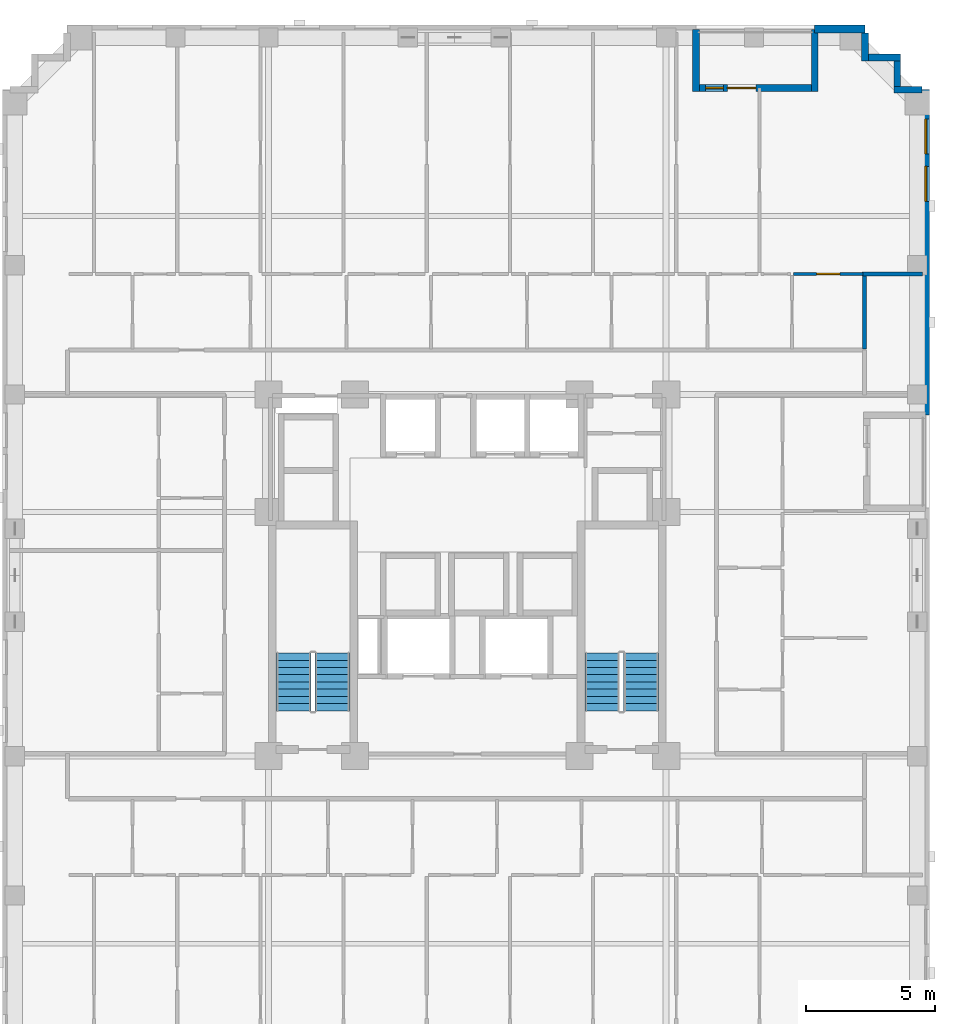
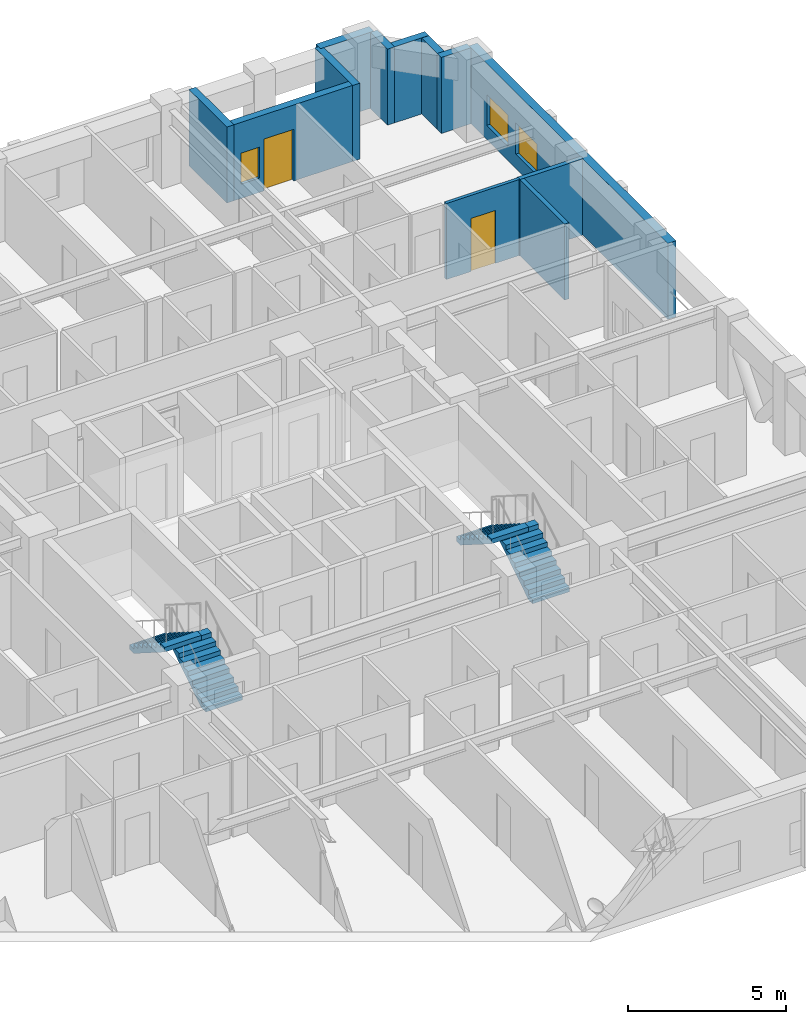
# One storey, part 9 of 13: 12 walls, 4 stair flights, 3 windows, 2 doors, 5 openings, 2 elements without a shape of their own.
"""IFC4 building model written with IfcOpenShell, lengths in metres."""

from ifc_helpers import new_model, si_unit, derived_unit, direction, frame, frame_2d, origin, place, context, subcontext, project, spatial, polyline, rectangle, outline, extrude, material, layer, layer_set, type_object, element, fill, aggregate, save


model = new_model("IFC4")

# Units and contexts
model_context = context("Model", 3, precision=1e-05, world=origin(), true_north=direction((0.0, 1.0)))
body_context = subcontext(model_context, "Body", "Model", "MODEL_VIEW")
ifc_project = project(units=[si_unit("LENGTHUNIT", "METRE"), si_unit("AREAUNIT", "SQUARE_METRE"), si_unit("VOLUMEUNIT", "CUBIC_METRE"), si_unit("PLANEANGLEUNIT", "RADIAN"), si_unit("MASSUNIT", "GRAM", prefix="KILO"), derived_unit("THERMALTRANSMITTANCEUNIT", [(si_unit("MASSUNIT", "GRAM", prefix="KILO"), 1), (si_unit("TIMEUNIT", "SECOND"), -3), (si_unit("THERMODYNAMICTEMPERATUREUNIT", "KELVIN"), -1)])], contexts=[model_context])

# Site, building, storey
site_placement = place(None, origin())
site = spatial("IfcSite", under=ifc_project, at=site_placement, CompositionType="ELEMENT")
building_placement = place(site_placement, origin())
building = spatial("IfcBuilding", under=site, at=building_placement, Name="Korrvale Station Residences", CompositionType="ELEMENT")
storey_placement = place(building_placement, frame((0.0, 0.0, 97.5)))
storey = spatial("IfcBuildingStorey", under=building, at=storey_placement, Name="L27", CompositionType="ELEMENT", Elevation=97.5)

# Wall
ifc_material_1 = material(Name="Precast concrete C45/55", Category="concrete")
ifc_layer_1 = layer(ifc_material_1, 0.260009765625, Name="Precast concrete C45/55")
ifc_layer_set_1 = layer_set([ifc_layer_1], Name="Precast concrete C45/55")
wall_type_1 = type_object("IfcWallType", Name="WAL-EXT-LOG260", PredefinedType="SOLIDWALL", material=ifc_layer_set_1)
wall_1_placement = place(storey_placement, frame((34.35009765625, 43.139892578125, 0.0), z_axis=(0.0, 0.0, 1.0), x_axis=(0.0, -1.0, 0.0)))
element("IfcWall", 1, at=wall_1_placement, inside=storey, type_object=wall_type_1, Name="L27 Recessed Loggia Wall BAL-L27-N1-L", PredefinedType="SOLIDWALL", context=body_context, shape_type="SweptSolid", body=[
    extrude(rectangle(XDim=2.39990234375, YDim=0.260009765625, at=frame_2d((1.199951171875, 0.0))), origin(), (0.0, 0.0, 1.0), 2.93994140625),
])

# Wall, openings, door, window
wall_2_placement = place(storey_placement, frame((34.48388671875, 40.8701171875, 0.0), z_axis=(0.0, 0.0, 1.0), x_axis=(1.0, 0.0, 0.0)))
wall_2 = element("IfcWall", 2, at=wall_2_placement, inside=storey, type_object=wall_type_1, Name="L27 Recessed Loggia Wall BAL-L27-N1-B", PredefinedType="SOLIDWALL", context=body_context, shape_type="SweptSolid", body=[
    extrude(rectangle(XDim=4.33203125, YDim=0.260009765625, at=frame_2d((2.166015625, 0.0))), origin(), (0.0, 0.0, 1.0), 2.93994140625),
])
opening_1_placement = place(wall_2_placement, frame((1.0859375, 0.0, 0.0)))
opening_1 = element("IfcOpeningElement", 3, at=opening_1_placement, cuts=wall_2, Name="Opening BD-01", PredefinedType="OPENING", context=body_context, shape_type="SweptSolid", body=[
    extrude(rectangle(XDim=1.10009765625, YDim=2.0, at=frame_2d((0.550048828125, 1.0))), frame((0.0, 0.14013671875, 0.0), z_axis=(0.0, -1.0, 0.0), x_axis=(1.0, 0.0, 0.0)), (0.0, 0.0, 1.0), 0.280029296875),
])
opening_2_placement = place(wall_2_placement, frame((0.24609375, 0.0, 0.550048828125)))
opening_2 = element("IfcOpeningElement", 4, at=opening_2_placement, cuts=wall_2, Name="Opening W-12", PredefinedType="OPENING", context=body_context, shape_type="SweptSolid", body=[
    extrude(rectangle(XDim=0.679931640625, YDim=1.199951171875, at=frame_2d((0.33984375, 0.60009765625))), frame((0.0, 0.14013671875, 0.0), z_axis=(0.0, -1.0, 0.0), x_axis=(1.0, 0.0, 0.0)), (0.0, 0.0, 1.0), 0.280029296875),
])
ifc_material_2 = material(Name="Exterior thermally broken aluminium glazed balcony door", Category="aluminium")
door_type_1 = type_object("IfcDoorType", Name="DR-EXT-BAL", OperationType="NOTDEFINED", PredefinedType="DOOR", material=ifc_material_2)
door_1_placement = place(opening_1_placement, origin())
door_1 = element("IfcDoor", 5, at=door_1_placement, inside=storey, type_object=door_type_1, Name="L27 Loggia Balcony Door BAL-L27-N1", OperationType="SINGLE_SWING_RIGHT", OverallHeight=2.0, OverallWidth=1.10009765625, PredefinedType="DOOR", context=body_context, shape_type="SweptSolid", body=[
    extrude(rectangle(XDim=1.10009765625, YDim=2.0, at=frame_2d((0.550048828125, 1.0))), frame((0.0, 0.02490234375, 0.0), z_axis=(0.0, -1.0, 0.0), x_axis=(1.0, 0.0, 0.0)), (0.0, 0.0, 1.0), 0.050048828125),
])
fill(opening_1, door_1)
ifc_material_3 = material(Name="Thermally broken aluminium frame with triple low-e glazing", Category="aluminium")
window_type_1 = type_object("IfcWindowType", Name="WIN-W12", PartitioningType="SINGLE_PANEL", PredefinedType="WINDOW", material=ifc_material_3)
window_1_placement = place(opening_2_placement, origin())
window_1 = element("IfcWindow", 6, at=window_1_placement, inside=storey, type_object=window_type_1, Name="L27 Punched Window 20", OverallHeight=1.199951171875, OverallWidth=0.679931640625, PartitioningType="SINGLE_PANEL", PredefinedType="WINDOW", context=body_context, shape_type="SweptSolid", body=[
    extrude(rectangle(XDim=0.679931640625, YDim=1.199951171875, at=frame_2d((0.33984375, 0.60009765625))), frame((0.0, 0.030029296875, 0.0), z_axis=(0.0, -1.0, 0.0), x_axis=(1.0, 0.0, 0.0)), (0.0, 0.0, 1.0), 0.06005859375),
])
fill(opening_2, window_1)

# Walls
wall_3_placement = place(storey_placement, frame((38.949951171875, 40.739990234375, 0.0), z_axis=(0.0, 0.0, 1.0), x_axis=(0.0, 1.0, 0.0)))
element("IfcWall", 7, at=wall_3_placement, inside=storey, type_object=wall_type_1, Name="L27 Recessed Loggia Wall BAL-L27-N1-R", PredefinedType="SOLIDWALL", context=body_context, shape_type="SweptSolid", body=[
    extrude(rectangle(XDim=2.39990234375, YDim=0.260009765625, at=frame_2d((1.199951171875, 0.0))), origin(), (0.0, 0.0, 1.0), 2.93994140625),
])
wall_4_placement = place(storey_placement, frame((40.89990234375, 42.998046875, 0.0), z_axis=(0.0, 0.0, 1.0), x_axis=(0.0, -1.0, 0.0)))
element("IfcWall", 8, at=wall_4_placement, inside=storey, type_object=wall_type_1, Name="L27 Serrated Corner Precast Step NE-1", PredefinedType="SOLIDWALL", context=body_context, shape_type="SweptSolid", body=[
    extrude(rectangle(XDim=1.078125, YDim=0.260009765625, at=frame_2d((0.5390625, 0.0))), origin(), (0.0, 0.0, 1.0), 2.93994140625),
])
wall_5_placement = place(storey_placement, frame((41.031982421875, 42.050048828125, 0.0), z_axis=(0.0, 0.0, 1.0), x_axis=(1.0, 0.0, 0.0)))
element("IfcWall", 9, at=wall_5_placement, inside=storey, type_object=wall_type_1, Name="L27 Serrated Corner Precast Step NE-2", PredefinedType="SOLIDWALL", context=body_context, shape_type="SweptSolid", body=[
    extrude(rectangle(XDim=1.248046875, YDim=0.260009765625, at=frame_2d((0.6240234375, 0.0))), origin(), (0.0, 0.0, 1.0), 2.93994140625),
])
wall_6_placement = place(storey_placement, frame((42.14990234375, 41.91796875, 0.0), z_axis=(0.0, 0.0, 1.0), x_axis=(0.0, -1.0, 0.0)))
element("IfcWall", 10, at=wall_6_placement, inside=storey, type_object=wall_type_1, Name="L27 Serrated Corner Precast Step NE-3", PredefinedType="SOLIDWALL", context=body_context, shape_type="SweptSolid", body=[
    extrude(rectangle(XDim=0.986083984375, YDim=0.260009765625, at=frame_2d((0.4931640625, 0.0))), origin(), (0.0, 0.0, 1.0), 2.93994140625),
])
wall_7_placement = place(storey_placement, frame((42.02001953125, 40.800048828125, 0.0), z_axis=(0.0, 0.0, 1.0), x_axis=(1.0, 0.0, 0.0)))
element("IfcWall", 11, at=wall_7_placement, inside=storey, type_object=wall_type_1, Name="L27 Serrated Corner Precast Step NE-4", PredefinedType="SOLIDWALL", context=body_context, shape_type="SweptSolid", body=[
    extrude(rectangle(XDim=1.077880859375, YDim=0.260009765625, at=frame_2d((0.5390625, 0.0))), origin(), (0.0, 0.0, 1.0), 2.93994140625),
])
ifc_layer_2 = layer(ifc_material_1, 0.300048828125, Name="Precast concrete C45/55")
ifc_layer_set_2 = layer_set([ifc_layer_2], Name="Precast concrete C45/55")
wall_type_2 = type_object("IfcWallType", Name="WAL-EXT-PC300", PredefinedType="SOLIDWALL", material=ifc_layer_set_2)
wall_8_placement = place(storey_placement, frame((38.949951171875, 43.14990234375, 0.0), z_axis=(0.0, 0.0, 1.0), x_axis=(1.0, 0.0, 0.0)))
element("IfcWall", 12, at=wall_8_placement, inside=storey, type_object=wall_type_2, Name="L27 North Exterior Precast Wall 2", PredefinedType="SOLIDWALL", context=body_context, shape_type="SweptSolid", body=[
    extrude(rectangle(XDim=1.949951171875, YDim=0.300048828125, at=frame_2d((0.97509765625, 0.0))), origin(), (0.0, 0.0, 1.0), 2.93994140625),
])

# Wall, openings, windows
wall_9_placement = place(storey_placement, frame((43.25, 40.800048828125, 0.0), z_axis=(0.0, 0.0, 1.0), x_axis=(0.0, -1.0, 0.0)))
wall_9 = element("IfcWall", 13, at=wall_9_placement, inside=storey, type_object=wall_type_2, Name="L27 East Exterior Precast Wall 1", PredefinedType="SOLIDWALL", context=body_context, shape_type="SweptSolid", body=[
    extrude(rectangle(XDim=12.60009765625, YDim=0.300048828125, at=frame_2d((6.300048828125, 0.0))), origin(), (0.0, 0.0, 1.0), 2.93994140625),
])
opening_3_placement = place(wall_9_placement, frame((2.968017578125, 0.0, 0.550048828125)))
opening_3 = element("IfcOpeningElement", 14, at=opening_3_placement, cuts=wall_9, Name="Opening W-10", PredefinedType="OPENING", context=body_context, shape_type="SweptSolid", body=[
    extrude(rectangle(XDim=1.35009765625, YDim=1.199951171875, at=frame_2d((0.675048828125, 0.60009765625))), frame((0.0, 0.16015625, 0.0), z_axis=(0.0, -1.0, 0.0), x_axis=(1.0, 0.0, 0.0)), (0.0, 0.0, 1.0), 0.320068359375),
])
opening_4_placement = place(wall_9_placement, frame((1.135009765625, 0.0, 0.550048828125)))
opening_4 = element("IfcOpeningElement", 15, at=opening_4_placement, cuts=wall_9, Name="Opening W-10", PredefinedType="OPENING", context=body_context, shape_type="SweptSolid", body=[
    extrude(rectangle(XDim=1.35009765625, YDim=1.199951171875, at=frame_2d((0.675048828125, 0.60009765625))), frame((0.0, 0.16015625, 0.0), z_axis=(0.0, -1.0, 0.0), x_axis=(1.0, 0.0, 0.0)), (0.0, 0.0, 1.0), 0.320068359375),
])
window_type_2 = type_object("IfcWindowType", Name="WIN-W10", PartitioningType="SINGLE_PANEL", PredefinedType="WINDOW", material=ifc_material_3)
window_2_placement = place(opening_3_placement, origin())
window_2 = element("IfcWindow", 16, at=window_2_placement, inside=storey, type_object=window_type_2, Name="L27 Punched Window 21", OverallHeight=1.199951171875, OverallWidth=1.35009765625, PartitioningType="SINGLE_PANEL", PredefinedType="WINDOW", context=body_context, shape_type="SweptSolid", body=[
    extrude(rectangle(XDim=1.35009765625, YDim=1.199951171875, at=frame_2d((0.675048828125, 0.60009765625))), frame((0.0, 0.030029296875, 0.0), z_axis=(0.0, -1.0, 0.0), x_axis=(1.0, 0.0, 0.0)), (0.0, 0.0, 1.0), 0.06005859375),
])
fill(opening_3, window_2)
window_3_placement = place(opening_4_placement, origin())
window_3 = element("IfcWindow", 17, at=window_3_placement, inside=storey, type_object=window_type_2, Name="L27 Punched Window 22", OverallHeight=1.199951171875, OverallWidth=1.35009765625, PartitioningType="SINGLE_PANEL", PredefinedType="WINDOW", context=body_context, shape_type="SweptSolid", body=[
    extrude(rectangle(XDim=1.35009765625, YDim=1.199951171875, at=frame_2d((0.675048828125, 0.60009765625))), frame((0.0, 0.030029296875, 0.0), z_axis=(0.0, -1.0, 0.0), x_axis=(1.0, 0.0, 0.0)), (0.0, 0.0, 1.0), 0.06005859375),
])
fill(opening_4, window_3)

# Wall, opening, door
ifc_material_4 = material(Name="Acoustic steel-stud gypsum board partition", Category="steel")
ifc_layer_3 = layer(ifc_material_4, 0.1201171875, Name="Acoustic steel-stud gypsum board partition")
ifc_layer_set_3 = layer_set([ifc_layer_3], Name="Acoustic steel-stud gypsum board partition")
wall_type_3 = type_object("IfcWallType", Name="WAL-PART-125", PredefinedType="PARTITIONING", material=ifc_layer_set_3)
wall_10_placement = place(storey_placement, frame((38.1298828125, 33.669921875, 0.0), z_axis=(0.0, 0.0, 1.0), x_axis=(1.0, 0.0, 0.0)))
wall_10 = element("IfcWall", 18, at=wall_10_placement, inside=storey, type_object=wall_type_3, Name="L27 Suite Partition U02-H818", PredefinedType="PARTITIONING", context=body_context, shape_type="SweptSolid", body=[
    extrude(rectangle(XDim=2.690185546875, YDim=0.1201171875, at=frame_2d((1.34521484375, 0.0))), origin(), (0.0, 0.0, 1.0), 2.93994140625),
])
opening_5_placement = place(wall_10_placement, frame((0.89501953125, 0.0, 0.0)))
opening_5 = element("IfcOpeningElement", 19, at=opening_5_placement, cuts=wall_10, Name="Opening DI-900", PredefinedType="OPENING", context=body_context, shape_type="SweptSolid", body=[
    extrude(rectangle(XDim=0.89990234375, YDim=2.050048828125, at=frame_2d((0.449951171875, 1.02490234375))), frame((0.0, 0.070068359375, 0.0), z_axis=(0.0, -1.0, 0.0), x_axis=(1.0, 0.0, 0.0)), (0.0, 0.0, 1.0), 0.14013671875),
])
ifc_material_5 = material(Name="Painted solid-core timber interior room door", Category="wood")
door_type_2 = type_object("IfcDoorType", Name="DR-INT-900", OperationType="NOTDEFINED", PredefinedType="DOOR", material=ifc_material_5)
door_2_placement = place(opening_5_placement, origin())
door_2 = element("IfcDoor", 20, at=door_2_placement, inside=storey, type_object=door_type_2, Name="L27 Studio Apartment L27-U02 Storage Closet 7 Door", OperationType="SINGLE_SWING_LEFT", OverallHeight=2.050048828125, OverallWidth=0.89990234375, PredefinedType="DOOR", context=body_context, shape_type="SweptSolid", body=[
    extrude(rectangle(XDim=0.89990234375, YDim=2.050048828125, at=frame_2d((0.449951171875, 1.02490234375))), frame((0.0, 0.02490234375, 0.0), z_axis=(0.0, -1.0, 0.0), x_axis=(1.0, 0.0, 0.0)), (0.0, 0.0, 1.0), 0.050048828125),
])
fill(opening_5, door_2)

# Walls
ifc_material_6 = material(Name="Fire-rated twin-stud gypsum and mineral wool shaftwall assembly", Category="gypsum")
ifc_layer_4 = layer(ifc_material_6, 0.159912109375, Name="Fire-rated twin-stud gypsum and mineral wool shaftwall assembly")
ifc_layer_set_4 = layer_set([ifc_layer_4], Name="Fire-rated twin-stud gypsum and mineral wool shaftwall assembly")
wall_type_4 = type_object("IfcWallType", Name="WAL-PART-200", PredefinedType="PARTITIONING", material=ifc_layer_set_4)
wall_11_placement = place(storey_placement, frame((40.780029296875, 33.669921875, 0.0), z_axis=(0.0, 0.0, 1.0), x_axis=(1.0, 0.0, 0.0)))
element("IfcWall", 21, at=wall_11_placement, inside=storey, type_object=wall_type_4, Name="L27 Corner Step Wall U02-R", PredefinedType="PARTITIONING", context=body_context, shape_type="SweptSolid", body=[
    extrude(rectangle(XDim=2.340087890625, YDim=0.159912109375, at=frame_2d((1.169921875, 0.0))), origin(), (0.0, 0.0, 1.0), 2.93994140625),
])
wall_12_placement = place(storey_placement, frame((40.8798828125, 30.760009765625, 0.0), z_axis=(0.0, 0.0, 1.0), x_axis=(0.0, 1.0, 0.0)))
element("IfcWall", 22, at=wall_12_placement, inside=storey, type_object=wall_type_4, Name="L27 Corner Step Cheek U02-R", PredefinedType="PARTITIONING", context=body_context, shape_type="SweptSolid", body=[
    extrude(rectangle(XDim=2.909912109375, YDim=0.159912109375, at=frame_2d((1.455078125, 0.0))), origin(), (0.0, 0.0, 1.0), 2.93994140625),
])

# Stair, stair flights
ifc_material_7 = material(Name="Concrete C50/60", Category="concrete")
stair_type = type_object("IfcStairType", Name="STR-DL-1350-18R-1778", PredefinedType="HALF_TURN_STAIR", material=ifc_material_7)
stair_1_placement = place(storey_placement, origin())
stair_1 = element("IfcStair", 23, at=stair_1_placement, inside=storey, type_object=stair_type, Name="L27 Exit Stair 1", PredefinedType="HALF_TURN_STAIR")
stair_flight_type = type_object("IfcStairFlightType", Name="FLT-DL-1350-18R-1778", PredefinedType="STRAIGHT", material=ifc_material_7)
stair_flight_1_placement = place(storey_placement, frame((20.27490234375, 16.75, 0.0), z_axis=(0.0, 0.0, 1.0), x_axis=(0.0, 1.0, 0.0)))
stair_flight_1 = element("IfcStairFlight", 24, at=stair_flight_1_placement, type_object=stair_flight_type, Name="ST-1 flight 1", NumberOfRisers=9, NumberOfTreads=8, PredefinedType="STRAIGHT", RiserHeight=0.177777778, TreadLength=0.28, context=body_context, shape_type="SweptSolid", body=[
    extrude(outline(polyline([(0.0, 0.0), (0.0, 0.177734375), (0.280029296875, 0.177734375), (0.280029296875, 0.35546875), (0.56005859375, 0.35546875), (0.56005859375, 0.533447265625), (0.840087890625, 0.533447265625), (0.840087890625, 0.711181640625), (1.1201171875, 0.711181640625), (1.1201171875, 0.888916015625), (1.39990234375, 0.888916015625), (1.39990234375, 1.066650390625), (1.679931640625, 1.066650390625), (1.679931640625, 1.244384765625), (1.9599609375, 1.244384765625), (1.9599609375, 1.422119140625), (2.239990234375, 1.422119140625), (2.239990234375, 1.60009765625), (2.239990234375, 1.24462890625), (0.27978515625, 0.0), (0.0, 0.0)])), frame((0.0, 0.675048828125, 0.0), z_axis=(0.0, -1.0, 0.0), x_axis=(1.0, 0.0, 0.0)), (0.0, 0.0, 1.0), 1.35009765625),
])
stair_flight_2_placement = place(storey_placement, frame((18.77490234375, 18.989990234375, 1.60009765625), z_axis=(0.0, 0.0, 1.0), x_axis=(0.0, -1.0, 0.0)))
stair_flight_2 = element("IfcStairFlight", 25, at=stair_flight_2_placement, type_object=stair_flight_type, Name="ST-1 flight 2", NumberOfRisers=9, NumberOfTreads=8, PredefinedType="STRAIGHT", RiserHeight=0.177777778, TreadLength=0.28, context=body_context, shape_type="SweptSolid", body=[
    extrude(outline(polyline([(0.0, 0.0), (0.0, 0.177734375), (0.280029296875, 0.177734375), (0.280029296875, 0.35546875), (0.56005859375, 0.35546875), (0.56005859375, 0.533447265625), (0.840087890625, 0.533447265625), (0.840087890625, 0.711181640625), (1.1201171875, 0.711181640625), (1.1201171875, 0.888916015625), (1.39990234375, 0.888916015625), (1.39990234375, 1.066650390625), (1.679931640625, 1.066650390625), (1.679931640625, 1.244384765625), (1.9599609375, 1.244384765625), (1.9599609375, 1.422119140625), (2.239990234375, 1.422119140625), (2.239990234375, 1.60009765625), (2.239990234375, 1.24462890625), (0.27978515625, 0.0), (0.0, 0.0)])), frame((0.0, 0.675048828125, 0.0), z_axis=(0.0, -1.0, 0.0), x_axis=(1.0, 0.0, 0.0)), (0.0, 0.0, 1.0), 1.35009765625),
])
aggregate(stair_1, [stair_flight_1, stair_flight_2])

stair_2_placement = place(storey_placement, origin())
stair_2 = element("IfcStair", 26, at=stair_2_placement, inside=storey, type_object=stair_type, Name="L27 Exit Stair 2", PredefinedType="HALF_TURN_STAIR")
stair_flight_3_placement = place(storey_placement, frame((32.22509765625, 16.75, 0.0), z_axis=(0.0, 0.0, 1.0), x_axis=(0.0, 1.0, 0.0)))
stair_flight_3 = element("IfcStairFlight", 27, at=stair_flight_3_placement, type_object=stair_flight_type, Name="ST-2 flight 1", NumberOfRisers=9, NumberOfTreads=8, PredefinedType="STRAIGHT", RiserHeight=0.177777778, TreadLength=0.28, context=body_context, shape_type="SweptSolid", body=[
    extrude(outline(polyline([(0.0, 0.0), (0.0, 0.177734375), (0.280029296875, 0.177734375), (0.280029296875, 0.35546875), (0.56005859375, 0.35546875), (0.56005859375, 0.533447265625), (0.840087890625, 0.533447265625), (0.840087890625, 0.711181640625), (1.1201171875, 0.711181640625), (1.1201171875, 0.888916015625), (1.39990234375, 0.888916015625), (1.39990234375, 1.066650390625), (1.679931640625, 1.066650390625), (1.679931640625, 1.244384765625), (1.9599609375, 1.244384765625), (1.9599609375, 1.422119140625), (2.239990234375, 1.422119140625), (2.239990234375, 1.60009765625), (2.239990234375, 1.24462890625), (0.27978515625, 0.0), (0.0, 0.0)])), frame((0.0, 0.675048828125, 0.0), z_axis=(0.0, -1.0, 0.0), x_axis=(1.0, 0.0, 0.0)), (0.0, 0.0, 1.0), 1.35009765625),
])
stair_flight_4_placement = place(storey_placement, frame((30.72509765625, 18.989990234375, 1.60009765625), z_axis=(0.0, 0.0, 1.0), x_axis=(0.0, -1.0, 0.0)))
stair_flight_4 = element("IfcStairFlight", 28, at=stair_flight_4_placement, type_object=stair_flight_type, Name="ST-2 flight 2", NumberOfRisers=9, NumberOfTreads=8, PredefinedType="STRAIGHT", RiserHeight=0.177777778, TreadLength=0.28, context=body_context, shape_type="SweptSolid", body=[
    extrude(outline(polyline([(0.0, 0.0), (0.0, 0.177734375), (0.280029296875, 0.177734375), (0.280029296875, 0.35546875), (0.56005859375, 0.35546875), (0.56005859375, 0.533447265625), (0.840087890625, 0.533447265625), (0.840087890625, 0.711181640625), (1.1201171875, 0.711181640625), (1.1201171875, 0.888916015625), (1.39990234375, 0.888916015625), (1.39990234375, 1.066650390625), (1.679931640625, 1.066650390625), (1.679931640625, 1.244384765625), (1.9599609375, 1.244384765625), (1.9599609375, 1.422119140625), (2.239990234375, 1.422119140625), (2.239990234375, 1.60009765625), (2.239990234375, 1.24462890625), (0.27978515625, 0.0), (0.0, 0.0)])), frame((0.0, 0.675048828125, 0.0), z_axis=(0.0, -1.0, 0.0), x_axis=(1.0, 0.0, 0.0)), (0.0, 0.0, 1.0), 1.35009765625),
])
aggregate(stair_2, [stair_flight_3, stair_flight_4])

save(model, "model.ifc")
